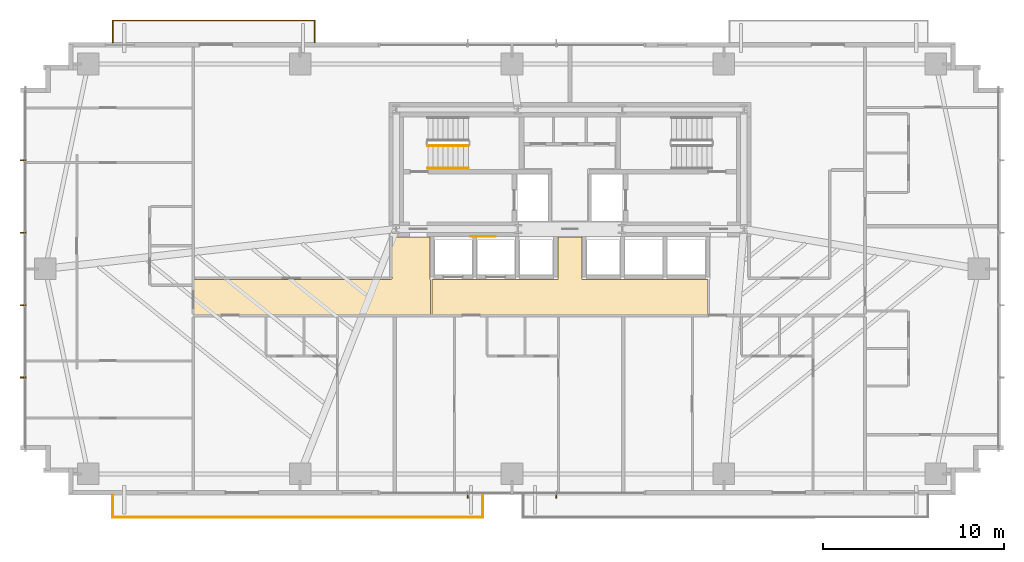
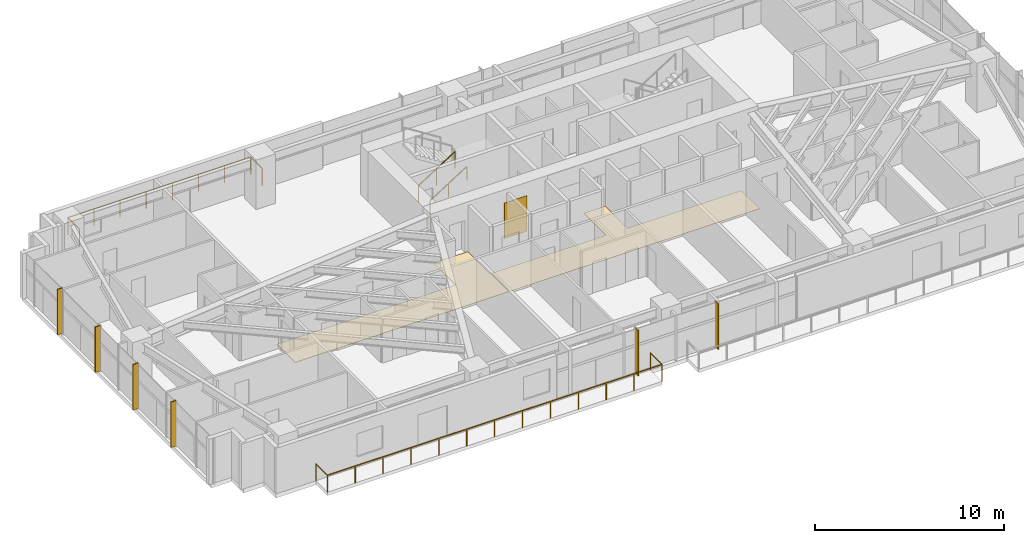
# One storey, part 23 of 25: 6 shading devices, 4 railings, 3 coverings.
"""IFC4 building model written with IfcOpenShell, lengths in metres."""

import ifcopenshell
import ifcopenshell.guid

model = None  # the IFC model being written
_history = None  # IfcOwnerHistory: only IFC2X3 demands one
_inside = {}  # id of a spatial element -> (the spatial element, [elements in it])
_under = {}  # id of a project, library or spatial element -> (it, [spatial elements below it])
_declared = {}  # id of a project -> (the project, [libraries it declares])
_typed = {}  # id of a type object -> (the type object, [elements of that type])
_made_of = {}  # id of a material, layer set ... -> (it, [elements and type objects made of it])


def new_model(schema):
    """Start an empty IFC model of exactly this schema.

    Asked for "IFC4X3", IfcOpenShell would pick the latest addendum, in which some entities
    have other attributes; the version numbers below select the first issue.
    IFC2X3 requires an IfcOwnerHistory on every rooted entity: one is made here for all.
    """
    global model, _history
    if schema == "IFC4X3":
        model = ifcopenshell.file(schema_version=(4, 3, 0, 0))
    else:
        model = ifcopenshell.file(schema=schema)
    _inside.clear()
    _under.clear()
    _declared.clear()
    _typed.clear()
    _made_of.clear()
    _history = None
    if model.schema == "IFC2X3":
        org = make("IfcOrganization", Name="unknown")
        user = make(
            "IfcPersonAndOrganization",
            ThePerson=make("IfcPerson", FamilyName="unknown"),
            TheOrganization=org,
        )
        app = make(
            "IfcApplication",
            ApplicationDeveloper=org,
            Version="unknown",
            ApplicationFullName="unknown",
            ApplicationIdentifier="unknown",
        )
        _history = make(
            "IfcOwnerHistory",
            OwningUser=user,
            OwningApplication=app,
            ChangeAction="ADDED",
            CreationDate=0,
        )
    return model


def make(cls, **values):
    """One entity of the class cls with the attributes given. An attribute that is None is left unset."""
    return model.create_entity(
        cls, **{name: value for name, value in values.items() if value is not None}
    )


def rooted(cls, **values):
    """An entity with a GlobalId (a new one), such as an element, a storey or a relation."""
    return make(cls, GlobalId=ifcopenshell.guid.new(), OwnerHistory=_history, **values)


def si_unit(unit_type, name, prefix=None):
    """IfcSIUnit, for example si_unit("LENGTHUNIT", "METRE", prefix="MILLI")."""
    return make("IfcSIUnit", UnitType=unit_type, Prefix=prefix, Name=name)


def assignment(units):
    """IfcUnitAssignment: the units of a project."""
    return None if units is None else make("IfcUnitAssignment", Units=units)


def point(xyz):
    """IfcCartesianPoint."""
    return None if xyz is None else make("IfcCartesianPoint", Coordinates=xyz)


def direction(xyz):
    """IfcDirection."""
    return None if xyz is None else make("IfcDirection", DirectionRatios=xyz)


def frame(location, z_axis=None, x_axis=None):
    """IfcAxis2Placement3D, a coordinate frame: its origin and axes. An axis left out is left unset."""
    return make(
        "IfcAxis2Placement3D",
        Location=point(location),
        Axis=direction(z_axis),
        RefDirection=direction(x_axis),
    )


def frame_2d(location, x_axis=None):
    """IfcAxis2Placement2D, a coordinate frame in the plane: its origin and x axis."""
    return make(
        "IfcAxis2Placement2D", Location=point(location), RefDirection=direction(x_axis)
    )


def origin():
    """The frame at (0, 0, 0) with its axes left unset."""
    return frame((0.0, 0.0, 0.0))


def origin_2d():
    """The frame at (0, 0) in the plane with its x axis left unset."""
    return frame_2d((0.0, 0.0))


def place(relative_to, where):
    """IfcLocalPlacement: puts the frame where relative to a parent placement (None: the world)."""
    return make(
        "IfcLocalPlacement", PlacementRelTo=relative_to, RelativePlacement=where
    )


def context(
    kind, dimensions, precision=None, world=None, true_north=None, identifier=None
):
    """IfcGeometricRepresentationContext, for example the 3D "Model" context."""
    return make(
        "IfcGeometricRepresentationContext",
        ContextIdentifier=identifier,
        ContextType=kind,
        CoordinateSpaceDimension=dimensions,
        Precision=precision,
        WorldCoordinateSystem=world,
        TrueNorth=true_north,
    )


def subcontext(parent, identifier, kind, view, scale=None):
    """IfcGeometricRepresentationSubContext, for example "Body" below "Model"."""
    return make(
        "IfcGeometricRepresentationSubContext",
        ContextIdentifier=identifier,
        ContextType=kind,
        ParentContext=parent,
        TargetScale=scale,
        TargetView=view,
    )


def project(units=None, contexts=None):
    """IfcProject with its units and contexts."""
    return rooted(
        "IfcProject",
        Name="project",
        RepresentationContexts=contexts,
        UnitsInContext=assignment(units),
    )


def spatial(cls, under=None, at=None, **own):
    """A site, building, storey or space (cls), placed at a placement, below another one or the project."""
    s = rooted(cls, ObjectPlacement=at, **own)
    if under is not None:
        _under.setdefault(under.id(), (under, []))[1].append(s)
    return s


def polyline(points):
    """IfcPolyline through the points."""
    return make("IfcPolyline", Points=[point(p) for p in points])


def profile(cls, at=None, kind="AREA", **sizes):
    """A parametric profile (cls). Its sizes go by their IFC names, for example OverallWidth=200.0."""
    return make(cls, ProfileType=kind, Position=at, **sizes)


def rectangle(**sizes):
    """IfcRectangleProfileDef."""
    return profile("IfcRectangleProfileDef", **sizes)


def outline(outer, holes=None, kind="AREA"):
    """IfcArbitraryClosedProfileDef: a profile drawn as a closed curve; with holes, ...WithVoids."""
    if holes is None:
        return make("IfcArbitraryClosedProfileDef", ProfileType=kind, OuterCurve=outer)
    return make(
        "IfcArbitraryProfileDefWithVoids",
        ProfileType=kind,
        OuterCurve=outer,
        InnerCurves=holes,
    )


def extrude(swept, where, along, depth):
    """IfcExtrudedAreaSolid: the profile swept, set in the frame where, extruded along a direction by depth."""
    return make(
        "IfcExtrudedAreaSolid",
        SweptArea=swept,
        Position=where,
        ExtrudedDirection=direction(along),
        Depth=depth,
    )


def shape(context_of_items, identifier, shape_type, items):
    """IfcShapeRepresentation: the items that make up one representation, for example the "Body"."""
    return make(
        "IfcShapeRepresentation",
        ContextOfItems=context_of_items,
        RepresentationIdentifier=identifier,
        RepresentationType=shape_type,
        Items=items,
    )


def source(mapping_origin, context_of_items, identifier, shape_type, items):
    """IfcRepresentationMap: a shape defined once, which mapped items show again and again."""
    return make(
        "IfcRepresentationMap",
        MappingOrigin=mapping_origin,
        MappedRepresentation=shape(context_of_items, identifier, shape_type, items),
    )


def transform(
    local_origin,
    x_axis=None,
    y_axis=None,
    z_axis=None,
    scale=None,
    scale2=None,
    scale3=None,
    uniform=True,
):
    """IfcCartesianTransformationOperator3D, or its non-uniform kind. x_axis, y_axis, z_axis: its Axis1, 2, 3."""
    if uniform:
        return make(
            "IfcCartesianTransformationOperator3D",
            Axis1=direction(x_axis),
            Axis2=direction(y_axis),
            LocalOrigin=point(local_origin),
            Scale=scale,
            Axis3=direction(z_axis),
        )
    return make(
        "IfcCartesianTransformationOperator3DnonUniform",
        Axis1=direction(x_axis),
        Axis2=direction(y_axis),
        LocalOrigin=point(local_origin),
        Scale=scale,
        Axis3=direction(z_axis),
        Scale2=scale2,
        Scale3=scale3,
    )


def mapped(mapping_source, mapping_target):
    """IfcMappedItem: shows the shape of a source again, moved by a transform."""
    return make(
        "IfcMappedItem", MappingSource=mapping_source, MappingTarget=mapping_target
    )


def material(Name=None, Category=None):
    """IfcMaterial."""
    return make("IfcMaterial", Name=Name, Category=Category)


def layer(
    of_material, thickness, ventilated=None, Name=None, Category=None, Priority=None
):
    """IfcMaterialLayer: one layer of a wall or slab, of a material (None: an air gap)."""
    return make(
        "IfcMaterialLayer",
        Material=of_material,
        LayerThickness=thickness,
        IsVentilated=ventilated,
        Name=Name,
        Category=Category,
        Priority=Priority,
    )


def layer_set(layers, Name=None):
    """IfcMaterialLayerSet."""
    return make("IfcMaterialLayerSet", MaterialLayers=layers, LayerSetName=Name)


def made_of(thing, what):
    """Note that an element or type object is made of a material, layer set ...; save() writes the relation."""
    if what is not None:
        _made_of.setdefault(what.id(), (what, []))[1].append(thing)
    return thing


def type_object(cls, material=None, **own):
    """A type object (cls), such as IfcWallType, which elements share."""
    return made_of(rooted(cls, **own), material)


def type_shapes(of_type, sources):
    """Give a type object the sources (RepresentationMaps) that its elements show as mapped items."""
    of_type.RepresentationMaps = sources


def element(
    cls,
    number,
    at=None,
    inside=None,
    cuts=None,
    type_object=None,
    material=None,
    context=None,
    identifier="Body",
    shape_type=None,
    held_by="IfcProductDefinitionShape",
    body=None,
    shapes=None,
    **own,
):
    """One element of the class cls, such as IfcWall. Its Tag is "e" and its number.

    at: its placement. inside: the storey or other place that contains it. cuts: it is an
    opening in that element (IfcRelVoidsElement). A single representation is given by context,
    identifier, shape_type and body (its items); several are given by shapes. held_by: the class
    of the entity that holds the representations. save() writes the other relations.
    """
    e = rooted(cls, Tag="e%d" % number, ObjectPlacement=at, **own)
    if body is not None:
        shapes = [shape(context, identifier, shape_type, body)]
    if shapes is not None:
        e.Representation = make(held_by, Representations=shapes)
    if inside is not None:
        _inside.setdefault(inside.id(), (inside, []))[1].append(e)
    if cuts is not None:
        rooted(
            "IfcRelVoidsElement", RelatingBuildingElement=cuts, RelatedOpeningElement=e
        )
    if type_object is not None:
        _typed.setdefault(type_object.id(), (type_object, []))[1].append(e)
    return made_of(e, material)


def aggregate(whole, parts):
    """IfcRelAggregates: a whole, such as a stair, and the parts it consists of."""
    return rooted("IfcRelAggregates", RelatingObject=whole, RelatedObjects=parts)


def save(model, path):
    """Write the relations noted so far, then the file.

    IfcRelAggregates (storeys below a building ...), IfcRelContainedInSpatialStructure (elements
    in a storey), IfcRelDefinesByType, IfcRelAssociatesMaterial and IfcRelDeclares: one each for
    every whole, place, type object, material and project.
    """
    for whole, parts in _under.values():
        aggregate(whole, parts)
    for where, things in _inside.values():
        rooted(
            "IfcRelContainedInSpatialStructure",
            RelatedElements=things,
            RelatingStructure=where,
        )
    for kind, things in _typed.values():
        rooted("IfcRelDefinesByType", RelatedObjects=things, RelatingType=kind)
    for what, things in _made_of.values():
        rooted("IfcRelAssociatesMaterial", RelatedObjects=things, RelatingMaterial=what)
    for by, libraries in _declared.values():
        rooted("IfcRelDeclares", RelatingContext=by, RelatedDefinitions=libraries)
    model.write(path)


model = new_model("IFC4")

# Units and contexts
model_context = context("Model", 3, precision=1e-05, world=origin(), true_north=direction((0.0, 1.0)))
body_context = subcontext(model_context, "Body", "Model", "MODEL_VIEW")
ifc_project = project(units=[si_unit("LENGTHUNIT", "METRE"), si_unit("AREAUNIT", "SQUARE_METRE"), si_unit("VOLUMEUNIT", "CUBIC_METRE"), si_unit("PLANEANGLEUNIT", "RADIAN"), si_unit("MASSUNIT", "GRAM", prefix="KILO")], contexts=[model_context])

# Site, building, storey
site_placement = place(None, origin())
site = spatial("IfcSite", under=ifc_project, at=site_placement, CompositionType="ELEMENT")
building_placement = place(site_placement, origin())
building = spatial("IfcBuilding", under=site, at=building_placement, Name="Astriad Promenade Condominiums", CompositionType="ELEMENT")
storey_placement = place(building_placement, frame((0.0, 0.0, 42.199951171875)))
storey = spatial("IfcBuildingStorey", under=building, at=storey_placement, Name="L11", CompositionType="ELEMENT", Elevation=42.199951171875)

# Coverings
ifc_material_1 = material(Name="Polished Lakefront Terrazzo Flooring")
ifc_layer_1 = layer(ifc_material_1, 0.02001953125)
ifc_layer_set_1 = layer_set([ifc_layer_1], Name="Polished Lakefront Terrazzo Flooring")
covering_type_1 = type_object("IfcCoveringType", Name="COV-FLOR-TERRAZZO-20", PredefinedType="FLOORING", material=ifc_layer_set_1)
covering_1_placement = place(storey_placement, origin())
element("IfcCovering", 1, at=covering_1_placement, inside=storey, type_object=covering_type_1, Name="FLR-L11-LLB", PredefinedType="FLOORING", context=body_context, shape_type="SweptSolid", body=[
    extrude(outline(polyline([(43.610107421875, 14.610107421875), (43.610107421875, 12.669921875), (28.389892578125, 12.669921875), (28.389892578125, 14.610107421875), (35.300048828125, 14.610107421875), (35.303955078125, 14.610107421875), (35.307861328125, 14.61083984375), (35.3115234375, 14.61181640625), (35.315185546875, 14.613037109375), (35.31884765625, 14.61474609375), (35.322265625, 14.61669921875), (35.325439453125, 14.619140625), (35.328369140625, 14.62158203125), (35.330810546875, 14.62451171875), (35.333251953125, 14.627685546875), (35.335205078125, 14.631103515625), (35.3369140625, 14.634765625), (35.33837890625, 14.638427734375), (35.339111328125, 14.64208984375), (35.33984375, 14.64599609375), (35.340087890625, 14.64990234375), (35.340087890625, 16.9599609375), (36.659912109375, 16.9599609375), (36.659912109375, 14.64990234375), (36.66015625, 14.64599609375), (36.660888671875, 14.64208984375), (36.66162109375, 14.638427734375), (36.6630859375, 14.634765625), (36.664794921875, 14.631103515625), (36.666748046875, 14.627685546875), (36.669189453125, 14.62451171875), (36.671630859375, 14.62158203125), (36.674560546875, 14.619140625), (36.677734375, 14.61669921875), (36.68115234375, 14.61474609375), (36.684814453125, 14.613037109375), (36.6884765625, 14.61181640625), (36.692138671875, 14.61083984375), (36.696044921875, 14.610107421875), (36.699951171875, 14.610107421875), (43.610107421875, 14.610107421875)])), origin(), (0.0, 0.0, 1.0), 0.02001953125),
])
covering_2_placement = place(storey_placement, origin())
element("IfcCovering", 2, at=covering_2_placement, inside=storey, type_object=covering_type_1, Name="FLR-L11-COR-2", PredefinedType="FLOORING", context=body_context, shape_type="SweptSolid", body=[
    extrude(outline(polyline([(28.300048828125, 12.669921875), (15.239990234375, 12.669921875), (15.239990234375, 14.6201171875), (26.1201171875, 14.6201171875), (26.123779296875, 14.6201171875), (26.127685546875, 14.620849609375), (26.131591796875, 14.62158203125), (26.13525390625, 14.623046875), (26.138916015625, 14.624755859375), (26.14208984375, 14.626708984375), (26.1455078125, 14.629150390625), (26.148193359375, 14.631591796875), (26.15087890625, 14.634521484375), (26.1533203125, 14.6376953125), (26.1552734375, 14.64111328125), (26.156982421875, 14.644775390625), (26.158203125, 14.6484375), (26.1591796875, 14.652099609375), (26.159912109375, 14.656005859375), (26.159912109375, 14.659912109375), (26.159912109375, 16.9599609375), (28.260009765625, 16.9599609375), (28.260009765625, 14.64990234375), (28.26025390625, 14.64599609375), (28.2607421875, 14.64208984375), (28.26171875, 14.638427734375), (28.262939453125, 14.634765625), (28.2646484375, 14.631103515625), (28.2666015625, 14.627685546875), (28.26904296875, 14.62451171875), (28.271728515625, 14.62158203125), (28.274658203125, 14.619140625), (28.27783203125, 14.61669921875), (28.281005859375, 14.61474609375), (28.28466796875, 14.613037109375), (28.288330078125, 14.61181640625), (28.292236328125, 14.61083984375), (28.296142578125, 14.610107421875), (28.300048828125, 14.610107421875), (28.300048828125, 12.669921875)])), origin(), (0.0, 0.0, 1.0), 0.02001953125),
])

# Shading devices
ifc_material_2 = material(Name="Anodised aluminium 6063-T6 Black Fin", Category="aluminium")
shading_device_type = type_object("IfcShadingDeviceType", Name="FIN-BLACK-320", PredefinedType="USERDEFINED", material=ifc_material_2)
shared_shape_1 = source(origin(), body_context, "Body", "SweptSolid", [
    extrude(rectangle(XDim=0.06494140625, YDim=0.320068359375, at=origin_2d()), origin(), (0.0, 0.0, 1.0), 2.93994140625),
])
type_shapes(shading_device_type, [shared_shape_1])
for number, where, z_axis, x_axis, name in (
    (3, (5.7900390625, 9.199951171875, 0.0), (0.0, 0.0, 1.0), (0.0, 1.0, 0.0), "CW-L11-W-FIN-01"),
    (4, (5.7900390625, 13.199951171875, 0.0), (0.0, 0.0, 1.0), (0.0, 1.0, 0.0), "CW-L11-W-FIN-02"),
    (5, (5.7900390625, 17.199951171875, 0.0), (0.0, 0.0, 1.0), (0.0, 1.0, 0.0), "CW-L11-W-FIN-03"),
    (6, (5.7900390625, 21.199951171875, 0.0), (0.0, 0.0, 1.0), (0.0, 1.0, 0.0), "CW-L11-W-FIN-04"),
    (7, (35.25, 2.68994140625, 0.0), (0.0, 0.0, 1.0), (-1.0, 0.0, 0.0), "CW-L11-S-FIN-01"),
    (8, (30.35009765625, 2.68994140625, 0.0), (0.0, 0.0, 1.0), (-1.0, 0.0, 0.0), "CW-L11-S-FIN-02"),
):
    element("IfcShadingDevice", number, at=place(storey_placement, frame(where, z_axis=z_axis, x_axis=x_axis)), inside=storey, type_object=shading_device_type, Name=name, ObjectType="FIN", PredefinedType="USERDEFINED", context=body_context, shape_type="MappedRepresentation", body=[
        mapped(shared_shape_1, transform((0.0, 0.0, 0.0), scale=1.0)),
    ])

# Railings
ifc_material_3 = material(Name="Laminated Glass and Stainless Steel Balustrade", Category="steel")
railing_type_1 = type_object("IfcRailingType", Name="GRD-BALC-1120", PredefinedType="BALUSTRADE", material=ifc_material_3)
shared_shape_2 = source(origin(), body_context, "Body", "SweptSolid", [
    extrude(rectangle(XDim=0.048095703125, YDim=0.048095703125, at=origin_2d()), frame((0.0, 0.0, 1.09619140625), z_axis=(0.0, -1.0, 0.0), x_axis=(1.0, 0.0, 0.0)), (0.0, 0.0, 1.0), 1.219970703125),
    extrude(rectangle(XDim=0.048095703125, YDim=0.048095703125, at=origin_2d()), frame((0.0, -1.219970703125, 1.09619140625), z_axis=(1.0, 0.0, 0.0), x_axis=(0.0, 1.0, 0.0)), (0.0, 0.0, 1.0), 20.43798828125),
    extrude(rectangle(XDim=0.048095703125, YDim=0.048095703125, at=origin_2d()), frame((20.43798828125, -1.219970703125, 1.09619140625), z_axis=(0.0, 1.0, 0.0), x_axis=(-1.0, 0.0, 0.0)), (0.0, 0.0, 1.0), 1.219970703125),
    extrude(rectangle(XDim=0.0419921875, YDim=0.0419921875, at=origin_2d()), origin(), (0.0, 0.0, 1.0), 1.072021484375),
    extrude(rectangle(XDim=0.0419921875, YDim=0.0419921875, at=origin_2d()), frame((0.0, -1.219970703125, 0.0)), (0.0, 0.0, 1.0), 1.072021484375),
    extrude(rectangle(XDim=0.0419921875, YDim=0.0419921875, at=origin_2d()), frame((1.703125, -1.219970703125, 0.0)), (0.0, 0.0, 1.0), 1.072021484375),
    extrude(rectangle(XDim=0.0419921875, YDim=0.0419921875, at=origin_2d()), frame((3.40625, -1.219970703125, 0.0)), (0.0, 0.0, 1.0), 1.072021484375),
    extrude(rectangle(XDim=0.0419921875, YDim=0.0419921875, at=origin_2d()), frame((5.109375, -1.219970703125, 0.0)), (0.0, 0.0, 1.0), 1.072021484375),
    extrude(rectangle(XDim=0.0419921875, YDim=0.0419921875, at=origin_2d()), frame((6.812744140625, -1.219970703125, 0.0)), (0.0, 0.0, 1.0), 1.072021484375),
    extrude(rectangle(XDim=0.0419921875, YDim=0.0419921875, at=origin_2d()), frame((8.515869140625, -1.219970703125, 0.0)), (0.0, 0.0, 1.0), 1.072021484375),
    extrude(rectangle(XDim=0.0419921875, YDim=0.0419921875, at=origin_2d()), frame((10.218994140625, -1.219970703125, 0.0)), (0.0, 0.0, 1.0), 1.072021484375),
    extrude(rectangle(XDim=0.0419921875, YDim=0.0419921875, at=origin_2d()), frame((11.922119140625, -1.219970703125, 0.0)), (0.0, 0.0, 1.0), 1.072021484375),
    extrude(rectangle(XDim=0.0419921875, YDim=0.0419921875, at=origin_2d()), frame((13.625244140625, -1.219970703125, 0.0)), (0.0, 0.0, 1.0), 1.072021484375),
    extrude(rectangle(XDim=0.0419921875, YDim=0.0419921875, at=origin_2d()), frame((15.32861328125, -1.219970703125, 0.0)), (0.0, 0.0, 1.0), 1.072021484375),
    extrude(rectangle(XDim=0.0419921875, YDim=0.0419921875, at=origin_2d()), frame((17.03173828125, -1.219970703125, 0.0)), (0.0, 0.0, 1.0), 1.072021484375),
    extrude(rectangle(XDim=0.0419921875, YDim=0.0419921875, at=origin_2d()), frame((18.73486328125, -1.219970703125, 0.0)), (0.0, 0.0, 1.0), 1.072021484375),
    extrude(rectangle(XDim=0.0419921875, YDim=0.0419921875, at=origin_2d()), frame((20.43798828125, -1.219970703125, 0.0)), (0.0, 0.0, 1.0), 1.072021484375),
    extrude(rectangle(XDim=0.0419921875, YDim=0.0419921875, at=origin_2d()), frame((20.43798828125, 0.0, 0.0)), (0.0, 0.0, 1.0), 1.072021484375),
])
railing_1_placement = place(storey_placement, frame((10.743896484375, 2.699951171875, 0.0)))
element("IfcRailing", 9, at=railing_1_placement, inside=storey, type_object=railing_type_1, Name="GRD-BALC-L11-SW", PredefinedType="BALUSTRADE", context=body_context, shape_type="MappedRepresentation", body=[
    mapped(shared_shape_2, transform((0.0, 0.0, 0.0), scale=1.0)),
])
shared_shape_3 = source(origin(), body_context, "Body", "SweptSolid", [
    extrude(rectangle(XDim=0.048095703125, YDim=0.048095703125, at=origin_2d()), frame((0.0, 0.0, 1.09619140625), z_axis=(0.0, 1.0, 0.0), x_axis=(-1.0, 0.0, 0.0)), (0.0, 0.0, 1.0), 1.219970703125),
    extrude(rectangle(XDim=0.048095703125, YDim=0.048095703125, at=origin_2d()), frame((0.0, 1.219970703125, 1.09619140625), z_axis=(-1.0, 0.0, 0.0), x_axis=(0.0, -1.0, 0.0)), (0.0, 0.0, 1.0), 11.166015625),
    extrude(rectangle(XDim=0.048095703125, YDim=0.048095703125, at=origin_2d()), frame((-11.166015625, 1.219970703125, 1.09619140625), z_axis=(0.0, -1.0, 0.0), x_axis=(1.0, 0.0, 0.0)), (0.0, 0.0, 1.0), 1.219970703125),
    extrude(rectangle(XDim=0.0419921875, YDim=0.0419921875, at=origin_2d()), origin(), (0.0, 0.0, 1.0), 1.072021484375),
    extrude(rectangle(XDim=0.0419921875, YDim=0.0419921875, at=origin_2d()), frame((0.0, 1.219970703125, 0.0)), (0.0, 0.0, 1.0), 1.072021484375),
    extrude(rectangle(XDim=0.0419921875, YDim=0.0419921875, at=origin_2d()), frame((-1.59521484375, 1.219970703125, 0.0)), (0.0, 0.0, 1.0), 1.072021484375),
    extrude(rectangle(XDim=0.0419921875, YDim=0.0419921875, at=origin_2d()), frame((-3.190185546875, 1.219970703125, 0.0)), (0.0, 0.0, 1.0), 1.072021484375),
    extrude(rectangle(XDim=0.0419921875, YDim=0.0419921875, at=origin_2d()), frame((-4.785400390625, 1.219970703125, 0.0)), (0.0, 0.0, 1.0), 1.072021484375),
    extrude(rectangle(XDim=0.0419921875, YDim=0.0419921875, at=origin_2d()), frame((-6.380615234375, 1.219970703125, 0.0)), (0.0, 0.0, 1.0), 1.072021484375),
    extrude(rectangle(XDim=0.0419921875, YDim=0.0419921875, at=origin_2d()), frame((-7.975830078125, 1.219970703125, 0.0)), (0.0, 0.0, 1.0), 1.072021484375),
    extrude(rectangle(XDim=0.0419921875, YDim=0.0419921875, at=origin_2d()), frame((-9.57080078125, 1.219970703125, 0.0)), (0.0, 0.0, 1.0), 1.072021484375),
    extrude(rectangle(XDim=0.0419921875, YDim=0.0419921875, at=origin_2d()), frame((-11.166015625, 1.219970703125, 0.0)), (0.0, 0.0, 1.0), 1.072021484375),
    extrude(rectangle(XDim=0.0419921875, YDim=0.0419921875, at=origin_2d()), frame((-11.166015625, 0.0, 0.0)), (0.0, 0.0, 1.0), 1.072021484375),
])
type_shapes(railing_type_1, [shared_shape_2, shared_shape_3])
railing_2_placement = place(storey_placement, frame((21.909912109375, 27.699951171875, 0.0)))
element("IfcRailing", 10, at=railing_2_placement, inside=storey, type_object=railing_type_1, Name="GRD-BALC-L11-NW", PredefinedType="BALUSTRADE", context=body_context, shape_type="MappedRepresentation", body=[
    mapped(shared_shape_3, transform((0.0, 0.0, 0.0), scale=1.0)),
])
ifc_material_4 = material(Name="Painted Galvanised Steel Guardrail", Category="steel")
railing_type_2 = type_object("IfcRailingType", Name="GRD-STAIR-1100", PredefinedType="GUARDRAIL", material=ifc_material_4)
shared_shape_4 = source(origin(), body_context, "Body", "SweptSolid", [
    extrude(rectangle(XDim=0.048095703125, YDim=0.048095703125, at=origin_2d()), frame((0.0, 0.0, 1.076171875), z_axis=(0.84418770128, 0.0, 0.536047689118), x_axis=(0.0, 1.0, 0.0)), (0.0, 0.0, 1.0), 2.6533203125),
    extrude(rectangle(XDim=0.0419921875, YDim=0.0419921875, at=origin_2d()), origin(), (0.0, 0.0, 1.0), 1.052001953125),
    extrude(rectangle(XDim=0.0419921875, YDim=0.0419921875, at=origin_2d()), frame((1.1201171875, 0.0, 0.711181640625)), (0.0, 0.0, 1.0), 1.052001953125),
    extrude(rectangle(XDim=0.0419921875, YDim=0.0419921875, at=origin_2d()), frame((2.239990234375, 0.0, 1.42236328125)), (0.0, 0.0, 1.0), 1.052001953125),
])
type_shapes(railing_type_2, [shared_shape_4])
railing_3_placement = place(storey_placement, frame((28.14990234375, 22.0, 0.177734375)))
element("IfcRailing", 11, at=railing_3_placement, inside=storey, type_object=railing_type_2, Name="L11 ST-1 stair guard 1", PredefinedType="GUARDRAIL", context=body_context, shape_type="MappedRepresentation", body=[
    mapped(shared_shape_4, transform((0.0, 0.0, 0.0), scale=1.0)),
])
ifc_material_5 = material(Name="Brushed Stainless Steel Handrail", Category="steel")
railing_type_3 = type_object("IfcRailingType", Name="HRL-STAIR-920", PredefinedType="HANDRAIL", material=ifc_material_5)
shared_shape_5 = source(origin(), body_context, "Body", "SweptSolid", [
    extrude(rectangle(XDim=0.048095703125, YDim=0.048095703125, at=origin_2d()), frame((0.0, 0.0, 0.8759765625), z_axis=(0.84418770128, 0.0, 0.536047689118), x_axis=(0.0, 1.0, 0.0)), (0.0, 0.0, 1.0), 2.6533203125),
    extrude(rectangle(XDim=0.0419921875, YDim=0.0419921875, at=origin_2d()), origin(), (0.0, 0.0, 1.0), 0.851806640625),
    extrude(rectangle(XDim=0.0419921875, YDim=0.0419921875, at=origin_2d()), frame((1.1201171875, 0.0, 0.711181640625)), (0.0, 0.0, 1.0), 0.851806640625),
    extrude(rectangle(XDim=0.0419921875, YDim=0.0419921875, at=origin_2d()), frame((2.239990234375, 0.0, 1.42236328125)), (0.0, 0.0, 1.0), 0.851806640625),
])
type_shapes(railing_type_3, [shared_shape_5])
railing_4_placement = place(storey_placement, frame((28.14990234375, 20.75, 0.177734375)))
element("IfcRailing", 12, at=railing_4_placement, inside=storey, type_object=railing_type_3, Name="L11 ST-1 stair handrail 1", PredefinedType="HANDRAIL", context=body_context, shape_type="MappedRepresentation", body=[
    mapped(shared_shape_5, transform((0.0, 0.0, 0.0), scale=1.0)),
])

# Covering
ifc_material_6 = material(Name="Fire-Retardant Acoustic Oak Wall Cladding")
ifc_layer_2 = layer(ifc_material_6, 0.02490234375)
ifc_layer_set_2 = layer_set([ifc_layer_2], Name="Fire-Retardant Acoustic Oak Wall Cladding")
covering_type_2 = type_object("IfcCoveringType", Name="COV-CLAD-TIMBER-25", PredefinedType="CLADDING", material=ifc_layer_set_2)
shared_shape_6 = source(origin(), body_context, "Body", "SweptSolid", [
    extrude(rectangle(XDim=1.39990234375, YDim=0.02490234375, at=origin_2d()), origin(), (0.0, 0.0, 1.0), 2.300048828125),
])
type_shapes(covering_type_2, [shared_shape_6])
covering_3_placement = place(storey_placement, frame((31.199951171875, 16.991455078125, 0.0498046875), z_axis=(0.0, 0.0, 1.0), x_axis=(1.0, 0.0, 0.0)))
element("IfcCovering", 13, at=covering_3_placement, inside=storey, type_object=covering_type_2, Name="CLAD-LOB-L11", PredefinedType="CLADDING", context=body_context, shape_type="MappedRepresentation", body=[
    mapped(shared_shape_6, transform((0.0, 0.0, 0.0), scale=1.0)),
])

save(model, "model.ifc")
